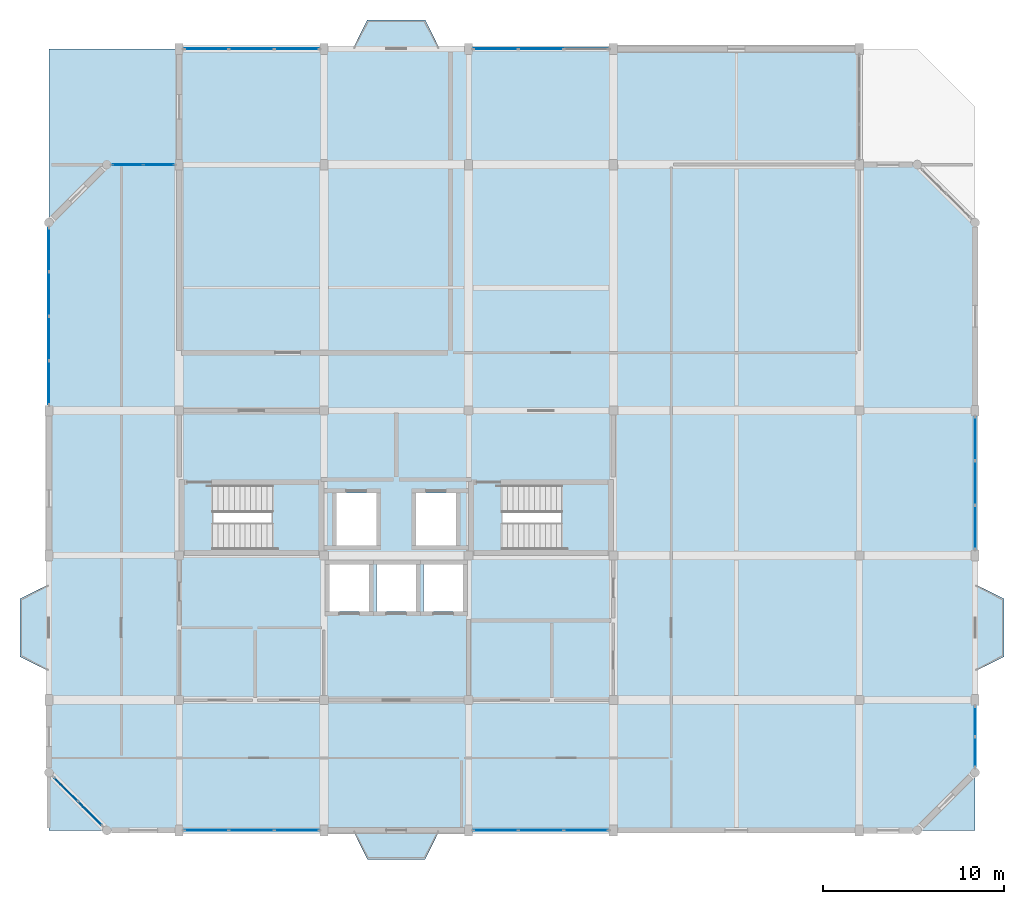
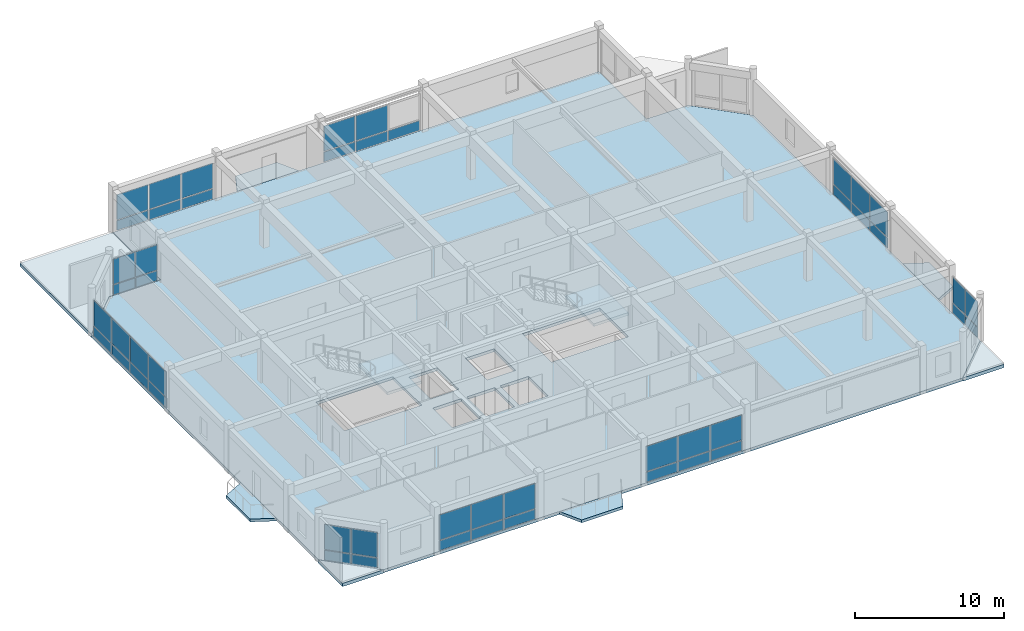
# One storey, part 7 of 12: 49 plates, 10 slabs, 11 elements without a shape of their own.
"""IFC4 building model written with IfcOpenShell, lengths in metres."""

from ifc_helpers import new_model, si_unit, direction, frame, origin, origin_2d, place, context, subcontext, project, spatial, polyline, rectangle, outline, extrude, material, layer, layer_set, type_object, element, aggregate, save


model = new_model("IFC4")

# Units and contexts
model_context = context("Model", 3, precision=1e-05, world=origin(), true_north=direction((0.0, 1.0)))
body_context = subcontext(model_context, "Body", "Model", "MODEL_VIEW")
ifc_project = project(units=[si_unit("LENGTHUNIT", "METRE"), si_unit("AREAUNIT", "SQUARE_METRE"), si_unit("VOLUMEUNIT", "CUBIC_METRE"), si_unit("PLANEANGLEUNIT", "RADIAN"), si_unit("MASSUNIT", "GRAM", prefix="KILO")], contexts=[model_context])

# Site, building, storey
site_placement = place(None, origin())
site = spatial("IfcSite", under=ifc_project, at=site_placement, CompositionType="ELEMENT")
building_placement = place(site_placement, origin())
building = spatial("IfcBuilding", under=site, at=building_placement, Name="Vellmiral Cinema and Media Centre", CompositionType="ELEMENT")
storey_placement = place(building_placement, frame((0.0, 0.0, 62.64990234375)))
storey = spatial("IfcBuildingStorey", under=building, at=storey_placement, Name="L15", CompositionType="ELEMENT", Elevation=62.64990234375)

# Curtain wall, plates
ifc_material_1 = material(Name="Thermally Broken Aluminium and Triple Glazing", Category="aluminium")
curtain_wall_type = type_object("IfcCurtainWallType", Name="CW-CROWN-LANTERN", PredefinedType="USERDEFINED", material=ifc_material_1)
curtain_wall_1_placement = place(storey_placement, origin())
curtain_wall_1 = element("IfcCurtainWall", 1, at=curtain_wall_1_placement, inside=storey, type_object=curtain_wall_type, Name="Curtain Wall L15-B002", ObjectType="STICK CURTAIN WALL", PredefinedType="USERDEFINED")
ifc_material_2 = material(Name="Polychrome Trencadis Ceramic Spandrel Panel", Category="ceramic")
ifc_layer_1 = layer(ifc_material_2, 0.052001953125, Name="Polychrome Trencadis Ceramic Spandrel Panel")
ifc_layer_set_1 = layer_set([ifc_layer_1], Name="Polychrome Trencadis Ceramic Spandrel Panel")
plate_type_1 = type_object("IfcPlateType", Name="CWP-TRENC-52", PredefinedType="CURTAIN_PANEL", material=ifc_layer_set_1)
plate_1_placement = place(storey_placement, frame((125.500732421875, 72.0, 0.070068359375), z_axis=(0.0, 0.0, 1.0), x_axis=(1.0, 0.0, 0.0)))
plate_1 = element("IfcPlate", 2, at=plate_1_placement, type_object=plate_type_1, Name="CW-10 panel 1.1", PredefinedType="CURTAIN_PANEL", context=body_context, shape_type="SweptSolid", body=[
    extrude(rectangle(XDim=2.41162109375, YDim=0.052001953125, at=origin_2d()), origin(), (0.0, 0.0, 1.0), 0.794921875),
])
plate_2_placement = place(storey_placement, frame((128.0, 72.0, 0.070068359375), z_axis=(0.0, 0.0, 1.0), x_axis=(1.0, 0.0, 0.0)))
plate_2 = element("IfcPlate", 3, at=plate_2_placement, type_object=plate_type_1, Name="CW-10 panel 2.1", PredefinedType="CURTAIN_PANEL", context=body_context, shape_type="SweptSolid", body=[
    extrude(rectangle(XDim=2.44677734375, YDim=0.052001953125, at=origin_2d()), origin(), (0.0, 0.0, 1.0), 0.794921875),
])
plate_3_placement = place(storey_placement, frame((130.499267578125, 72.0, 0.070068359375), z_axis=(0.0, 0.0, 1.0), x_axis=(1.0, 0.0, 0.0)))
plate_3 = element("IfcPlate", 4, at=plate_3_placement, type_object=plate_type_1, Name="CW-10 panel 3.1", PredefinedType="CURTAIN_PANEL", context=body_context, shape_type="SweptSolid", body=[
    extrude(rectangle(XDim=2.41162109375, YDim=0.052001953125, at=origin_2d()), origin(), (0.0, 0.0, 1.0), 0.794921875),
])

curtain_wall_2_placement = place(storey_placement, origin())
curtain_wall_2 = element("IfcCurtainWall", 5, at=curtain_wall_2_placement, inside=storey, type_object=curtain_wall_type, Name="Curtain Wall L15-B004", ObjectType="STICK CURTAIN WALL", PredefinedType="USERDEFINED")
plate_4_placement = place(storey_placement, frame((141.500732421875, 72.0, 0.070068359375), z_axis=(0.0, 0.0, 1.0), x_axis=(1.0, 0.0, 0.0)))
plate_4 = element("IfcPlate", 6, at=plate_4_placement, type_object=plate_type_1, Name="CW-10 panel 1.1", PredefinedType="CURTAIN_PANEL", context=body_context, shape_type="SweptSolid", body=[
    extrude(rectangle(XDim=2.41162109375, YDim=0.052001953125, at=origin_2d()), origin(), (0.0, 0.0, 1.0), 0.794921875),
])
plate_5_placement = place(storey_placement, frame((144.0, 72.0, 0.070068359375), z_axis=(0.0, 0.0, 1.0), x_axis=(1.0, 0.0, 0.0)))
plate_5 = element("IfcPlate", 7, at=plate_5_placement, type_object=plate_type_1, Name="CW-10 panel 2.1", PredefinedType="CURTAIN_PANEL", context=body_context, shape_type="SweptSolid", body=[
    extrude(rectangle(XDim=2.44677734375, YDim=0.052001953125, at=origin_2d()), origin(), (0.0, 0.0, 1.0), 0.794921875),
])
plate_6_placement = place(storey_placement, frame((146.499267578125, 72.0, 0.070068359375), z_axis=(0.0, 0.0, 1.0), x_axis=(1.0, 0.0, 0.0)))
plate_6 = element("IfcPlate", 8, at=plate_6_placement, type_object=plate_type_1, Name="CW-10 panel 3.1", PredefinedType="CURTAIN_PANEL", context=body_context, shape_type="SweptSolid", body=[
    extrude(rectangle(XDim=2.41162109375, YDim=0.052001953125, at=origin_2d()), origin(), (0.0, 0.0, 1.0), 0.794921875),
])

curtain_wall_3_placement = place(storey_placement, origin())
curtain_wall_3 = element("IfcCurtainWall", 9, at=curtain_wall_3_placement, inside=storey, type_object=curtain_wall_type, Name="Curtain Wall L15-B008", ObjectType="STICK CURTAIN WALL", PredefinedType="USERDEFINED")
plate_7_placement = place(storey_placement, frame((168.0, 76.330078125, 0.070068359375), z_axis=(0.0, 0.0, 1.0), x_axis=(0.0, 1.0, 0.0)))
plate_7 = element("IfcPlate", 10, at=plate_7_placement, type_object=plate_type_1, Name="CW-10 panel 1.1", PredefinedType="CURTAIN_PANEL", context=body_context, shape_type="SweptSolid", body=[
    extrude(rectangle(XDim=1.6201171875, YDim=0.052001953125, at=origin_2d()), origin(), (0.0, 0.0, 1.0), 0.794921875),
])
plate_8_placement = place(storey_placement, frame((168.0, 78.02001953125, 0.070068359375), z_axis=(0.0, 0.0, 1.0), x_axis=(0.0, 1.0, 0.0)))
plate_8 = element("IfcPlate", 11, at=plate_8_placement, type_object=plate_type_1, Name="CW-10 panel 2.1", PredefinedType="CURTAIN_PANEL", context=body_context, shape_type="SweptSolid", body=[
    extrude(rectangle(XDim=1.6201171875, YDim=0.052001953125, at=origin_2d()), origin(), (0.0, 0.0, 1.0), 0.794921875),
])

curtain_wall_4_placement = place(storey_placement, origin())
curtain_wall_4 = element("IfcCurtainWall", 12, at=curtain_wall_4_placement, inside=storey, type_object=curtain_wall_type, Name="Curtain Wall L15-B010", ObjectType="STICK CURTAIN WALL", PredefinedType="USERDEFINED")
plate_9_placement = place(storey_placement, frame((168.0, 88.750732421875, 0.070068359375), z_axis=(0.0, 0.0, 1.0), x_axis=(0.0, 1.0, 0.0)))
plate_9 = element("IfcPlate", 13, at=plate_9_placement, type_object=plate_type_1, Name="CW-10 panel 1.1", PredefinedType="CURTAIN_PANEL", context=body_context, shape_type="SweptSolid", body=[
    extrude(rectangle(XDim=2.361572265625, YDim=0.052001953125, at=origin_2d()), origin(), (0.0, 0.0, 1.0), 0.794921875),
])
plate_10_placement = place(storey_placement, frame((168.0, 91.199951171875, 0.070068359375), z_axis=(0.0, 0.0, 1.0), x_axis=(0.0, 1.0, 0.0)))
plate_10 = element("IfcPlate", 14, at=plate_10_placement, type_object=plate_type_1, Name="CW-10 panel 2.1", PredefinedType="CURTAIN_PANEL", context=body_context, shape_type="SweptSolid", body=[
    extrude(rectangle(XDim=2.396728515625, YDim=0.052001953125, at=origin_2d()), origin(), (0.0, 0.0, 1.0), 0.794921875),
])
plate_11_placement = place(storey_placement, frame((168.0, 93.649169921875, 0.070068359375), z_axis=(0.0, 0.0, 1.0), x_axis=(0.0, 1.0, 0.0)))
plate_11 = element("IfcPlate", 15, at=plate_11_placement, type_object=plate_type_1, Name="CW-10 panel 3.1", PredefinedType="CURTAIN_PANEL", context=body_context, shape_type="SweptSolid", body=[
    extrude(rectangle(XDim=2.361572265625, YDim=0.052001953125, at=origin_2d()), origin(), (0.0, 0.0, 1.0), 0.794921875),
])

curtain_wall_5_placement = place(storey_placement, origin())
curtain_wall_5 = element("IfcCurtainWall", 16, at=curtain_wall_5_placement, inside=storey, type_object=curtain_wall_type, Name="Curtain Wall L15-B016", ObjectType="STICK CURTAIN WALL", PredefinedType="USERDEFINED")
plate_12_placement = place(storey_placement, frame((146.499267578125, 115.199951171875, 0.070068359375), z_axis=(0.0, 0.0, 1.0), x_axis=(-1.0, 0.0, 0.0)))
plate_12 = element("IfcPlate", 17, at=plate_12_placement, type_object=plate_type_1, Name="CW-10 panel 1.1", PredefinedType="CURTAIN_PANEL", context=body_context, shape_type="SweptSolid", body=[
    extrude(rectangle(XDim=2.41162109375, YDim=0.052001953125, at=origin_2d()), origin(), (0.0, 0.0, 1.0), 0.794921875),
])
plate_13_placement = place(storey_placement, frame((144.0, 115.199951171875, 0.070068359375), z_axis=(0.0, 0.0, 1.0), x_axis=(-1.0, 0.0, 0.0)))
plate_13 = element("IfcPlate", 18, at=plate_13_placement, type_object=plate_type_1, Name="CW-10 panel 2.1", PredefinedType="CURTAIN_PANEL", context=body_context, shape_type="SweptSolid", body=[
    extrude(rectangle(XDim=2.44677734375, YDim=0.052001953125, at=origin_2d()), origin(), (0.0, 0.0, 1.0), 0.794921875),
])
plate_14_placement = place(storey_placement, frame((141.500732421875, 115.199951171875, 0.070068359375), z_axis=(0.0, 0.0, 1.0), x_axis=(-1.0, 0.0, 0.0)))
plate_14 = element("IfcPlate", 19, at=plate_14_placement, type_object=plate_type_1, Name="CW-10 panel 3.1", PredefinedType="CURTAIN_PANEL", context=body_context, shape_type="SweptSolid", body=[
    extrude(rectangle(XDim=2.41162109375, YDim=0.052001953125, at=origin_2d()), origin(), (0.0, 0.0, 1.0), 0.794921875),
])

curtain_wall_6_placement = place(storey_placement, origin())
curtain_wall_6 = element("IfcCurtainWall", 20, at=curtain_wall_6_placement, inside=storey, type_object=curtain_wall_type, Name="Curtain Wall L15-B018", ObjectType="STICK CURTAIN WALL", PredefinedType="USERDEFINED")
plate_15_placement = place(storey_placement, frame((130.499267578125, 115.199951171875, 0.070068359375), z_axis=(0.0, 0.0, 1.0), x_axis=(-1.0, 0.0, 0.0)))
plate_15 = element("IfcPlate", 21, at=plate_15_placement, type_object=plate_type_1, Name="CW-10 panel 1.1", PredefinedType="CURTAIN_PANEL", context=body_context, shape_type="SweptSolid", body=[
    extrude(rectangle(XDim=2.41162109375, YDim=0.052001953125, at=origin_2d()), origin(), (0.0, 0.0, 1.0), 0.794921875),
])
plate_16_placement = place(storey_placement, frame((128.0, 115.199951171875, 0.070068359375), z_axis=(0.0, 0.0, 1.0), x_axis=(-1.0, 0.0, 0.0)))
plate_16 = element("IfcPlate", 22, at=plate_16_placement, type_object=plate_type_1, Name="CW-10 panel 2.1", PredefinedType="CURTAIN_PANEL", context=body_context, shape_type="SweptSolid", body=[
    extrude(rectangle(XDim=2.44677734375, YDim=0.052001953125, at=origin_2d()), origin(), (0.0, 0.0, 1.0), 0.794921875),
])
plate_17_placement = place(storey_placement, frame((125.500732421875, 115.199951171875, 0.070068359375), z_axis=(0.0, 0.0, 1.0), x_axis=(-1.0, 0.0, 0.0)))
plate_17 = element("IfcPlate", 23, at=plate_17_placement, type_object=plate_type_1, Name="CW-10 panel 3.1", PredefinedType="CURTAIN_PANEL", context=body_context, shape_type="SweptSolid", body=[
    extrude(rectangle(XDim=2.41162109375, YDim=0.052001953125, at=origin_2d()), origin(), (0.0, 0.0, 1.0), 0.794921875),
])

curtain_wall_7_placement = place(storey_placement, origin())
curtain_wall_7 = element("IfcCurtainWall", 24, at=curtain_wall_7_placement, inside=storey, type_object=curtain_wall_type, Name="Curtain Wall L15-B020", ObjectType="STICK CURTAIN WALL", PredefinedType="USERDEFINED")
plate_18_placement = place(storey_placement, frame((122.876220703125, 108.800048828125, 0.070068359375), z_axis=(0.0, 0.0, 1.0), x_axis=(-1.0, 0.0, 0.0)))
plate_18 = element("IfcPlate", 25, at=plate_18_placement, type_object=plate_type_1, Name="CW-10 panel 1.1", PredefinedType="CURTAIN_PANEL", context=body_context, shape_type="SweptSolid", body=[
    extrude(rectangle(XDim=1.657470703125, YDim=0.052001953125, at=origin_2d()), origin(), (0.0, 0.0, 1.0), 0.794921875),
])
plate_19_placement = place(storey_placement, frame((121.148681640625, 108.800048828125, 0.070068359375), z_axis=(0.0, 0.0, 1.0), x_axis=(-1.0, 0.0, 0.0)))
plate_19 = element("IfcPlate", 26, at=plate_19_placement, type_object=plate_type_1, Name="CW-10 panel 2.1", PredefinedType="CURTAIN_PANEL", context=body_context, shape_type="SweptSolid", body=[
    extrude(rectangle(XDim=1.657470703125, YDim=0.052001953125, at=origin_2d()), origin(), (0.0, 0.0, 1.0), 0.794921875),
])

curtain_wall_8_placement = place(storey_placement, origin())
curtain_wall_8 = element("IfcCurtainWall", 27, at=curtain_wall_8_placement, inside=storey, type_object=curtain_wall_type, Name="Curtain Wall L15-B022", ObjectType="STICK CURTAIN WALL", PredefinedType="USERDEFINED")
plate_20_placement = place(storey_placement, frame((116.800048828125, 104.101318359375, 0.070068359375), z_axis=(0.0, 0.0, 1.0), x_axis=(0.0, -1.0, 0.0)))
plate_20 = element("IfcPlate", 28, at=plate_20_placement, type_object=plate_type_1, Name="CW-10 panel 1.1", PredefinedType="CURTAIN_PANEL", context=body_context, shape_type="SweptSolid", body=[
    extrude(rectangle(XDim=2.357421875, YDim=0.052001953125, at=origin_2d()), origin(), (0.0, 0.0, 1.0), 0.794921875),
])
plate_21_placement = place(storey_placement, frame((116.800048828125, 101.65625, 0.070068359375), z_axis=(0.0, 0.0, 1.0), x_axis=(0.0, -1.0, 0.0)))
plate_21 = element("IfcPlate", 29, at=plate_21_placement, type_object=plate_type_1, Name="CW-10 panel 2.1", PredefinedType="CURTAIN_PANEL", context=body_context, shape_type="SweptSolid", body=[
    extrude(rectangle(XDim=2.392578125, YDim=0.052001953125, at=origin_2d()), origin(), (0.0, 0.0, 1.0), 0.794921875),
])
plate_22_placement = place(storey_placement, frame((116.800048828125, 99.19384765625, 0.070068359375), z_axis=(0.0, 0.0, 1.0), x_axis=(0.0, -1.0, 0.0)))
plate_22 = element("IfcPlate", 30, at=plate_22_placement, type_object=plate_type_1, Name="CW-10 panel 3.1", PredefinedType="CURTAIN_PANEL", context=body_context, shape_type="SweptSolid", body=[
    extrude(rectangle(XDim=2.392578125, YDim=0.052001953125, at=origin_2d()), origin(), (0.0, 0.0, 1.0), 0.794921875),
])
plate_23_placement = place(storey_placement, frame((116.800048828125, 96.748779296875, 0.070068359375), z_axis=(0.0, 0.0, 1.0), x_axis=(0.0, -1.0, 0.0)))
plate_23 = element("IfcPlate", 31, at=plate_23_placement, type_object=plate_type_1, Name="CW-10 panel 4.1", PredefinedType="CURTAIN_PANEL", context=body_context, shape_type="SweptSolid", body=[
    extrude(rectangle(XDim=2.357421875, YDim=0.052001953125, at=origin_2d()), origin(), (0.0, 0.0, 1.0), 0.794921875),
])

curtain_wall_9_placement = place(storey_placement, origin())
curtain_wall_9 = element("IfcCurtainWall", 32, at=curtain_wall_9_placement, inside=storey, type_object=curtain_wall_type, Name="Curtain Wall L15-B026", ObjectType="STICK CURTAIN WALL", PredefinedType="USERDEFINED")
plate_24_placement = place(storey_placement, frame((117.7373046875, 74.2626953125, 0.070068359375), z_axis=(0.0, 0.0, 1.0), x_axis=(0.707106781187, -0.707106781187, 0.0)))
plate_24 = element("IfcPlate", 33, at=plate_24_placement, type_object=plate_type_1, Name="CW-10 panel 1.1", PredefinedType="CURTAIN_PANEL", context=body_context, shape_type="SweptSolid", body=[
    extrude(rectangle(XDim=1.80419921875, YDim=0.052001953125, at=origin_2d()), origin(), (0.0, 0.0, 1.0), 0.794921875),
])
plate_25_placement = place(storey_placement, frame((119.062744140625, 72.937255859375, 0.070068359375), z_axis=(0.0, 0.0, 1.0), x_axis=(0.707106781187, -0.707106781187, 0.0)))
plate_25 = element("IfcPlate", 34, at=plate_25_placement, type_object=plate_type_1, Name="CW-10 panel 2.1", PredefinedType="CURTAIN_PANEL", context=body_context, shape_type="SweptSolid", body=[
    extrude(rectangle(XDim=1.80419921875, YDim=0.052001953125, at=origin_2d()), origin(), (0.0, 0.0, 1.0), 0.794921875),
])

# Plate
ifc_material_3 = material(Name="Triple Low-E Vision Glazing", Category="glass")
ifc_layer_2 = layer(ifc_material_3, 0.0380859375, Name="Triple Low-E Vision Glazing")
ifc_layer_set_2 = layer_set([ifc_layer_2], Name="Triple Low-E Vision Glazing")
plate_type_2 = type_object("IfcPlateType", Name="CWP-VISION-38", PredefinedType="CURTAIN_PANEL", material=ifc_layer_set_2)
plate_26_placement = place(storey_placement, frame((125.500732421875, 72.0, 0.93505859375), z_axis=(0.0, 0.0, 1.0), x_axis=(1.0, 0.0, 0.0)))
plate_26 = element("IfcPlate", 35, at=plate_26_placement, type_object=plate_type_2, Name="CW-10 panel 1.2", PredefinedType="CURTAIN_PANEL", context=body_context, shape_type="SweptSolid", body=[
    extrude(rectangle(XDim=2.41162109375, YDim=0.0380859375, at=origin_2d()), origin(), (0.0, 0.0, 1.0), 2.044921875),
])

plate_27_placement = place(storey_placement, frame((128.0, 72.0, 0.93505859375), z_axis=(0.0, 0.0, 1.0), x_axis=(1.0, 0.0, 0.0)))
plate_27 = element("IfcPlate", 36, at=plate_27_placement, type_object=plate_type_2, Name="CW-10 panel 2.2", PredefinedType="CURTAIN_PANEL", context=body_context, shape_type="SweptSolid", body=[
    extrude(rectangle(XDim=2.44677734375, YDim=0.0380859375, at=origin_2d()), origin(), (0.0, 0.0, 1.0), 2.044921875),
])

plate_28_placement = place(storey_placement, frame((130.499267578125, 72.0, 0.93505859375), z_axis=(0.0, 0.0, 1.0), x_axis=(1.0, 0.0, 0.0)))
plate_28 = element("IfcPlate", 37, at=plate_28_placement, type_object=plate_type_2, Name="CW-10 panel 3.2", PredefinedType="CURTAIN_PANEL", context=body_context, shape_type="SweptSolid", body=[
    extrude(rectangle(XDim=2.41162109375, YDim=0.0380859375, at=origin_2d()), origin(), (0.0, 0.0, 1.0), 2.044921875),
])

aggregate(curtain_wall_1, [plate_1, plate_26, plate_2, plate_27, plate_3, plate_28])

plate_29_placement = place(storey_placement, frame((141.500732421875, 72.0, 0.93505859375), z_axis=(0.0, 0.0, 1.0), x_axis=(1.0, 0.0, 0.0)))
plate_29 = element("IfcPlate", 38, at=plate_29_placement, type_object=plate_type_2, Name="CW-10 panel 1.2", PredefinedType="CURTAIN_PANEL", context=body_context, shape_type="SweptSolid", body=[
    extrude(rectangle(XDim=2.41162109375, YDim=0.0380859375, at=origin_2d()), origin(), (0.0, 0.0, 1.0), 2.044921875),
])

plate_30_placement = place(storey_placement, frame((144.0, 72.0, 0.93505859375), z_axis=(0.0, 0.0, 1.0), x_axis=(1.0, 0.0, 0.0)))
plate_30 = element("IfcPlate", 39, at=plate_30_placement, type_object=plate_type_2, Name="CW-10 panel 2.2", PredefinedType="CURTAIN_PANEL", context=body_context, shape_type="SweptSolid", body=[
    extrude(rectangle(XDim=2.44677734375, YDim=0.0380859375, at=origin_2d()), origin(), (0.0, 0.0, 1.0), 2.044921875),
])

plate_31_placement = place(storey_placement, frame((146.499267578125, 72.0, 0.93505859375), z_axis=(0.0, 0.0, 1.0), x_axis=(1.0, 0.0, 0.0)))
plate_31 = element("IfcPlate", 40, at=plate_31_placement, type_object=plate_type_2, Name="CW-10 panel 3.2", PredefinedType="CURTAIN_PANEL", context=body_context, shape_type="SweptSolid", body=[
    extrude(rectangle(XDim=2.41162109375, YDim=0.0380859375, at=origin_2d()), origin(), (0.0, 0.0, 1.0), 2.044921875),
])

aggregate(curtain_wall_2, [plate_4, plate_29, plate_5, plate_30, plate_6, plate_31])

plate_32_placement = place(storey_placement, frame((168.0, 76.330078125, 0.93505859375), z_axis=(0.0, 0.0, 1.0), x_axis=(0.0, 1.0, 0.0)))
plate_32 = element("IfcPlate", 41, at=plate_32_placement, type_object=plate_type_2, Name="CW-10 panel 1.2", PredefinedType="CURTAIN_PANEL", context=body_context, shape_type="SweptSolid", body=[
    extrude(rectangle(XDim=1.6201171875, YDim=0.0380859375, at=origin_2d()), origin(), (0.0, 0.0, 1.0), 2.044921875),
])

plate_33_placement = place(storey_placement, frame((168.0, 78.02001953125, 0.93505859375), z_axis=(0.0, 0.0, 1.0), x_axis=(0.0, 1.0, 0.0)))
plate_33 = element("IfcPlate", 42, at=plate_33_placement, type_object=plate_type_2, Name="CW-10 panel 2.2", PredefinedType="CURTAIN_PANEL", context=body_context, shape_type="SweptSolid", body=[
    extrude(rectangle(XDim=1.6201171875, YDim=0.0380859375, at=origin_2d()), origin(), (0.0, 0.0, 1.0), 2.044921875),
])

aggregate(curtain_wall_3, [plate_7, plate_32, plate_8, plate_33])

plate_34_placement = place(storey_placement, frame((168.0, 88.750732421875, 0.93505859375), z_axis=(0.0, 0.0, 1.0), x_axis=(0.0, 1.0, 0.0)))
plate_34 = element("IfcPlate", 43, at=plate_34_placement, type_object=plate_type_2, Name="CW-10 panel 1.2", PredefinedType="CURTAIN_PANEL", context=body_context, shape_type="SweptSolid", body=[
    extrude(rectangle(XDim=2.361572265625, YDim=0.0380859375, at=origin_2d()), origin(), (0.0, 0.0, 1.0), 2.044921875),
])

plate_35_placement = place(storey_placement, frame((168.0, 91.199951171875, 0.93505859375), z_axis=(0.0, 0.0, 1.0), x_axis=(0.0, 1.0, 0.0)))
plate_35 = element("IfcPlate", 44, at=plate_35_placement, type_object=plate_type_2, Name="CW-10 panel 2.2", PredefinedType="CURTAIN_PANEL", context=body_context, shape_type="SweptSolid", body=[
    extrude(rectangle(XDim=2.396728515625, YDim=0.0380859375, at=origin_2d()), origin(), (0.0, 0.0, 1.0), 2.044921875),
])

plate_36_placement = place(storey_placement, frame((168.0, 93.649169921875, 0.93505859375), z_axis=(0.0, 0.0, 1.0), x_axis=(0.0, 1.0, 0.0)))
plate_36 = element("IfcPlate", 45, at=plate_36_placement, type_object=plate_type_2, Name="CW-10 panel 3.2", PredefinedType="CURTAIN_PANEL", context=body_context, shape_type="SweptSolid", body=[
    extrude(rectangle(XDim=2.361572265625, YDim=0.0380859375, at=origin_2d()), origin(), (0.0, 0.0, 1.0), 2.044921875),
])

aggregate(curtain_wall_4, [plate_9, plate_34, plate_10, plate_35, plate_11, plate_36])

plate_37_placement = place(storey_placement, frame((144.0, 115.199951171875, 0.93505859375), z_axis=(0.0, 0.0, 1.0), x_axis=(-1.0, 0.0, 0.0)))
plate_37 = element("IfcPlate", 46, at=plate_37_placement, type_object=plate_type_2, Name="CW-10 panel 2.2", PredefinedType="CURTAIN_PANEL", context=body_context, shape_type="SweptSolid", body=[
    extrude(rectangle(XDim=2.44677734375, YDim=0.0380859375, at=origin_2d()), origin(), (0.0, 0.0, 1.0), 2.044921875),
])

plate_38_placement = place(storey_placement, frame((141.500732421875, 115.199951171875, 0.93505859375), z_axis=(0.0, 0.0, 1.0), x_axis=(-1.0, 0.0, 0.0)))
plate_38 = element("IfcPlate", 47, at=plate_38_placement, type_object=plate_type_2, Name="CW-10 panel 3.2", PredefinedType="CURTAIN_PANEL", context=body_context, shape_type="SweptSolid", body=[
    extrude(rectangle(XDim=2.41162109375, YDim=0.0380859375, at=origin_2d()), origin(), (0.0, 0.0, 1.0), 2.044921875),
])

aggregate(curtain_wall_5, [plate_12, plate_13, plate_37, plate_14, plate_38])

plate_39_placement = place(storey_placement, frame((130.499267578125, 115.199951171875, 0.93505859375), z_axis=(0.0, 0.0, 1.0), x_axis=(-1.0, 0.0, 0.0)))
plate_39 = element("IfcPlate", 48, at=plate_39_placement, type_object=plate_type_2, Name="CW-10 panel 1.2", PredefinedType="CURTAIN_PANEL", context=body_context, shape_type="SweptSolid", body=[
    extrude(rectangle(XDim=2.41162109375, YDim=0.0380859375, at=origin_2d()), origin(), (0.0, 0.0, 1.0), 2.044921875),
])

plate_40_placement = place(storey_placement, frame((128.0, 115.199951171875, 0.93505859375), z_axis=(0.0, 0.0, 1.0), x_axis=(-1.0, 0.0, 0.0)))
plate_40 = element("IfcPlate", 49, at=plate_40_placement, type_object=plate_type_2, Name="CW-10 panel 2.2", PredefinedType="CURTAIN_PANEL", context=body_context, shape_type="SweptSolid", body=[
    extrude(rectangle(XDim=2.44677734375, YDim=0.0380859375, at=origin_2d()), origin(), (0.0, 0.0, 1.0), 2.044921875),
])

plate_41_placement = place(storey_placement, frame((125.500732421875, 115.199951171875, 0.93505859375), z_axis=(0.0, 0.0, 1.0), x_axis=(-1.0, 0.0, 0.0)))
plate_41 = element("IfcPlate", 50, at=plate_41_placement, type_object=plate_type_2, Name="CW-10 panel 3.2", PredefinedType="CURTAIN_PANEL", context=body_context, shape_type="SweptSolid", body=[
    extrude(rectangle(XDim=2.41162109375, YDim=0.0380859375, at=origin_2d()), origin(), (0.0, 0.0, 1.0), 2.044921875),
])

aggregate(curtain_wall_6, [plate_15, plate_39, plate_16, plate_40, plate_17, plate_41])

plate_42_placement = place(storey_placement, frame((122.876220703125, 108.800048828125, 0.93505859375), z_axis=(0.0, 0.0, 1.0), x_axis=(-1.0, 0.0, 0.0)))
plate_42 = element("IfcPlate", 51, at=plate_42_placement, type_object=plate_type_2, Name="CW-10 panel 1.2", PredefinedType="CURTAIN_PANEL", context=body_context, shape_type="SweptSolid", body=[
    extrude(rectangle(XDim=1.657470703125, YDim=0.0380859375, at=origin_2d()), origin(), (0.0, 0.0, 1.0), 2.044921875),
])

plate_43_placement = place(storey_placement, frame((121.148681640625, 108.800048828125, 0.93505859375), z_axis=(0.0, 0.0, 1.0), x_axis=(-1.0, 0.0, 0.0)))
plate_43 = element("IfcPlate", 52, at=plate_43_placement, type_object=plate_type_2, Name="CW-10 panel 2.2", PredefinedType="CURTAIN_PANEL", context=body_context, shape_type="SweptSolid", body=[
    extrude(rectangle(XDim=1.657470703125, YDim=0.0380859375, at=origin_2d()), origin(), (0.0, 0.0, 1.0), 2.044921875),
])

aggregate(curtain_wall_7, [plate_18, plate_42, plate_19, plate_43])

plate_44_placement = place(storey_placement, frame((116.800048828125, 104.101318359375, 0.93505859375), z_axis=(0.0, 0.0, 1.0), x_axis=(0.0, -1.0, 0.0)))
plate_44 = element("IfcPlate", 53, at=plate_44_placement, type_object=plate_type_2, Name="CW-10 panel 1.2", PredefinedType="CURTAIN_PANEL", context=body_context, shape_type="SweptSolid", body=[
    extrude(rectangle(XDim=2.357421875, YDim=0.0380859375, at=origin_2d()), origin(), (0.0, 0.0, 1.0), 2.044921875),
])

plate_45_placement = place(storey_placement, frame((116.800048828125, 101.65625, 0.93505859375), z_axis=(0.0, 0.0, 1.0), x_axis=(0.0, -1.0, 0.0)))
plate_45 = element("IfcPlate", 54, at=plate_45_placement, type_object=plate_type_2, Name="CW-10 panel 2.2", PredefinedType="CURTAIN_PANEL", context=body_context, shape_type="SweptSolid", body=[
    extrude(rectangle(XDim=2.392578125, YDim=0.0380859375, at=origin_2d()), origin(), (0.0, 0.0, 1.0), 2.044921875),
])

plate_46_placement = place(storey_placement, frame((116.800048828125, 99.19384765625, 0.93505859375), z_axis=(0.0, 0.0, 1.0), x_axis=(0.0, -1.0, 0.0)))
plate_46 = element("IfcPlate", 55, at=plate_46_placement, type_object=plate_type_2, Name="CW-10 panel 3.2", PredefinedType="CURTAIN_PANEL", context=body_context, shape_type="SweptSolid", body=[
    extrude(rectangle(XDim=2.392578125, YDim=0.0380859375, at=origin_2d()), origin(), (0.0, 0.0, 1.0), 2.044921875),
])

plate_47_placement = place(storey_placement, frame((116.800048828125, 96.748779296875, 0.93505859375), z_axis=(0.0, 0.0, 1.0), x_axis=(0.0, -1.0, 0.0)))
plate_47 = element("IfcPlate", 56, at=plate_47_placement, type_object=plate_type_2, Name="CW-10 panel 4.2", PredefinedType="CURTAIN_PANEL", context=body_context, shape_type="SweptSolid", body=[
    extrude(rectangle(XDim=2.357421875, YDim=0.0380859375, at=origin_2d()), origin(), (0.0, 0.0, 1.0), 2.044921875),
])

aggregate(curtain_wall_8, [plate_20, plate_44, plate_21, plate_45, plate_22, plate_46, plate_23, plate_47])

plate_48_placement = place(storey_placement, frame((117.7373046875, 74.2626953125, 0.93505859375), z_axis=(0.0, 0.0, 1.0), x_axis=(0.707106781187, -0.707106781187, 0.0)))
plate_48 = element("IfcPlate", 57, at=plate_48_placement, type_object=plate_type_2, Name="CW-10 panel 1.2", PredefinedType="CURTAIN_PANEL", context=body_context, shape_type="SweptSolid", body=[
    extrude(rectangle(XDim=1.80419921875, YDim=0.0380859375, at=origin_2d()), origin(), (0.0, 0.0, 1.0), 2.044921875),
])

plate_49_placement = place(storey_placement, frame((119.062744140625, 72.937255859375, 0.93505859375), z_axis=(0.0, 0.0, 1.0), x_axis=(0.707106781187, -0.707106781187, 0.0)))
plate_49 = element("IfcPlate", 58, at=plate_49_placement, type_object=plate_type_2, Name="CW-10 panel 2.2", PredefinedType="CURTAIN_PANEL", context=body_context, shape_type="SweptSolid", body=[
    extrude(rectangle(XDim=1.80419921875, YDim=0.0380859375, at=origin_2d()), origin(), (0.0, 0.0, 1.0), 2.044921875),
])

aggregate(curtain_wall_9, [plate_24, plate_48, plate_25, plate_49])

# Slab
ifc_material_4 = material(Name="Concrete C40/50", Category="concrete")
ifc_layer_3 = layer(ifc_material_4, 0.239990234375, Name="Concrete C40/50")
ifc_layer_set_3 = layer_set([ifc_layer_3], Name="Concrete C40/50")
slab_type_1 = type_object("IfcSlabType", Name="SLB-FLR-240", PredefinedType="FLOOR", material=ifc_layer_set_3)
slab_1_placement = place(storey_placement, frame((0.0, 0.0, -0.239990234375)))
element("IfcSlab", 59, at=slab_1_placement, inside=storey, type_object=slab_type_1, Name="L15 Structural Slab", PredefinedType="FLOOR", context=body_context, shape_type="SweptSolid", body=[
    extrude(outline(polyline([(120.0, 72.0), (164.800048828125, 72.0), (168.0, 75.199951171875), (168.0, 105.60009765625), (164.800048828125, 108.800048828125), (161.60009765625, 108.800048828125), (161.60009765625, 115.199951171875), (124.0, 115.199951171875), (124.0, 108.800048828125), (120.0, 108.800048828125), (116.800048828125, 105.60009765625), (116.800048828125, 75.199951171875), (120.0, 72.0)]), holes=[polyline([(125.85009765625, 87.3798828125), (131.820068359375, 87.3798828125), (131.820068359375, 91.219970703125), (125.85009765625, 91.219970703125), (125.85009765625, 87.3798828125)]), polyline([(141.85009765625, 87.3798828125), (147.820068359375, 87.3798828125), (147.820068359375, 91.219970703125), (141.85009765625, 91.219970703125), (141.85009765625, 87.3798828125)]), polyline([(132.699951171875, 87.75), (134.89990234375, 87.75), (134.89990234375, 90.64990234375), (132.699951171875, 90.64990234375), (132.699951171875, 87.75)]), polyline([(137.10009765625, 87.75), (139.300048828125, 87.75), (139.300048828125, 90.64990234375), (137.10009765625, 90.64990234375), (137.10009765625, 87.75)]), polyline([(132.300048828125, 84.10009765625), (134.5, 84.10009765625), (134.5, 86.699951171875), (132.300048828125, 86.699951171875), (132.300048828125, 84.10009765625)]), polyline([(134.89990234375, 84.10009765625), (137.10009765625, 84.10009765625), (137.10009765625, 86.699951171875), (134.89990234375, 86.699951171875), (134.89990234375, 84.10009765625)]), polyline([(137.5, 84.10009765625), (139.699951171875, 84.10009765625), (139.699951171875, 86.699951171875), (137.5, 86.699951171875), (137.5, 84.10009765625)])]), origin(), (0.0, 0.0, 1.0), 0.239990234375),
])

# Stair, slab
ifc_material_5 = material(Name="Concrete C40/50", Category="concrete")
stair_type = type_object("IfcStairType", Name="ST-2RET-395", PredefinedType="HALF_TURN_STAIR", material=ifc_material_5)
stair_1_placement = place(storey_placement, origin())
stair_1 = element("IfcStair", 60, at=stair_1_placement, inside=storey, type_object=stair_type, Name="Protected Escape Stair ST-T1 (L15)", PredefinedType="HALF_TURN_STAIR")
ifc_material_6 = material(Name="Concrete C40/50", Category="concrete")
ifc_layer_4 = layer(ifc_material_6, 0.219970703125, Name="Concrete C40/50")
ifc_layer_set_4 = layer_set([ifc_layer_4], Name="Concrete C40/50")
slab_type_2 = type_object("IfcSlabType", Name="SLB-LAND-220", PredefinedType="LANDING", material=ifc_layer_set_4)
slab_2_placement = place(storey_placement, frame((0.0, 0.0, 1.755126953125)))
slab_2 = element("IfcSlab", 61, at=slab_2_placement, type_object=slab_type_2, Name="ST-T1 landing 1", PredefinedType="LANDING", context=body_context, shape_type="SweptSolid", body=[
    extrude(outline(polyline([(129.14990234375, 87.3798828125), (131.820068359375, 87.3798828125), (131.820068359375, 91.219970703125), (129.14990234375, 91.219970703125), (129.14990234375, 87.3798828125)])), origin(), (0.0, 0.0, 1.0), 0.219970703125),
])
aggregate(stair_1, [slab_2])

stair_2_placement = place(storey_placement, origin())
stair_2 = element("IfcStair", 62, at=stair_2_placement, inside=storey, type_object=stair_type, Name="Protected Escape Stair ST-T2 (L15)", PredefinedType="HALF_TURN_STAIR")
slab_3_placement = place(storey_placement, frame((0.0, 0.0, 1.755126953125)))
slab_3 = element("IfcSlab", 63, at=slab_3_placement, type_object=slab_type_2, Name="ST-T2 landing 1", PredefinedType="LANDING", context=body_context, shape_type="SweptSolid", body=[
    extrude(outline(polyline([(145.14990234375, 87.3798828125), (147.820068359375, 87.3798828125), (147.820068359375, 91.219970703125), (145.14990234375, 91.219970703125), (145.14990234375, 87.3798828125)])), origin(), (0.0, 0.0, 1.0), 0.219970703125),
])
aggregate(stair_2, [slab_3])

# Slabs
ifc_material_7 = material(Name="Concrete C40/50", Category="concrete")
ifc_layer_5 = layer(ifc_material_7, 0.22998046875, Name="Concrete C40/50")
ifc_layer_set_5 = layer_set([ifc_layer_5], Name="Concrete C40/50")
slab_type_3 = type_object("IfcSlabType", Name="SLB-MIRA-230", PredefinedType="FLOOR", material=ifc_layer_set_5)
slab_4_placement = place(storey_placement, frame((0.0, 0.0, -0.22998046875)))
element("IfcSlab", 64, at=slab_4_placement, inside=storey, type_object=slab_type_3, Name="Catalan Mirador Balcony L15-E", PredefinedType="FLOOR", context=body_context, shape_type="SweptSolid", body=[
    extrude(outline(polyline([(168.0, 80.800048828125), (169.60009765625, 81.60009765625), (169.60009765625, 84.800048828125), (168.0, 85.60009765625), (168.0, 80.800048828125)])), origin(), (0.0, 0.0, 1.0), 0.22998046875),
])
slab_5_placement = place(storey_placement, frame((0.0, 0.0, -0.22998046875)))
element("IfcSlab", 65, at=slab_5_placement, inside=storey, type_object=slab_type_3, Name="Catalan Mirador Balcony L15-N", PredefinedType="FLOOR", context=body_context, shape_type="SweptSolid", body=[
    extrude(outline(polyline([(133.60009765625, 115.199951171875), (138.39990234375, 115.199951171875), (137.60009765625, 116.800048828125), (134.39990234375, 116.800048828125), (133.60009765625, 115.199951171875)])), origin(), (0.0, 0.0, 1.0), 0.22998046875),
])
slab_6_placement = place(storey_placement, frame((0.0, 0.0, -0.22998046875)))
element("IfcSlab", 66, at=slab_6_placement, inside=storey, type_object=slab_type_3, Name="Catalan Mirador Balcony L15-W", PredefinedType="FLOOR", context=body_context, shape_type="SweptSolid", body=[
    extrude(outline(polyline([(116.800048828125, 80.800048828125), (116.800048828125, 85.60009765625), (115.199951171875, 84.800048828125), (115.199951171875, 81.60009765625), (116.800048828125, 80.800048828125)])), origin(), (0.0, 0.0, 1.0), 0.22998046875),
])
slab_7_placement = place(storey_placement, frame((0.0, 0.0, -0.22998046875)))
element("IfcSlab", 67, at=slab_7_placement, inside=storey, type_object=slab_type_3, Name="Catalan Mirador Balcony L15-S", PredefinedType="FLOOR", context=body_context, shape_type="SweptSolid", body=[
    extrude(outline(polyline([(133.60009765625, 72.0), (134.39990234375, 70.39990234375), (137.60009765625, 70.39990234375), (138.39990234375, 72.0), (133.60009765625, 72.0)])), origin(), (0.0, 0.0, 1.0), 0.22998046875),
])
ifc_material_8 = material(Name="Concrete C40/50", Category="concrete")
ifc_layer_6 = layer(ifc_material_8, 0.27001953125, Name="Concrete C40/50")
ifc_layer_set_6 = layer_set([ifc_layer_6], Name="Concrete C40/50")
slab_type_4 = type_object("IfcSlabType", Name="SLB-ROOF-270", PredefinedType="ROOF", material=ifc_layer_set_6)
slab_8_placement = place(storey_placement, frame((0.0, 0.0, -0.27001953125)))
element("IfcSlab", 68, at=slab_8_placement, inside=storey, type_object=slab_type_4, Name="Setback Maintenance Roof Slab SB15-NW", PredefinedType="ROOF", context=body_context, shape_type="SweptSolid", body=[
    extrude(outline(polyline([(116.800048828125, 105.6201171875), (120.0, 108.820068359375), (123.97998046875, 108.820068359375), (123.97998046875, 115.199951171875), (116.800048828125, 115.199951171875), (116.800048828125, 105.6201171875)])), origin(), (0.0, 0.0, 1.0), 0.27001953125),
])
slab_9_placement = place(storey_placement, frame((0.0, 0.0, -0.27001953125)))
element("IfcSlab", 69, at=slab_9_placement, inside=storey, type_object=slab_type_4, Name="Setback Maintenance Roof Slab SB15-SW", PredefinedType="ROOF", context=body_context, shape_type="SweptSolid", body=[
    extrude(outline(polyline([(116.800048828125, 72.0), (119.97998046875, 72.0), (116.800048828125, 75.179931640625), (116.800048828125, 72.0)])), origin(), (0.0, 0.0, 1.0), 0.27001953125),
])
slab_10_placement = place(storey_placement, frame((0.0, 0.0, -0.27001953125)))
element("IfcSlab", 70, at=slab_10_placement, inside=storey, type_object=slab_type_4, Name="Setback Maintenance Roof Slab SB15-SE", PredefinedType="ROOF", context=body_context, shape_type="SweptSolid", body=[
    extrude(outline(polyline([(164.820068359375, 72.0), (168.0, 72.0), (168.0, 75.179931640625), (164.820068359375, 72.0)])), origin(), (0.0, 0.0, 1.0), 0.27001953125),
])

save(model, "model.ifc")
